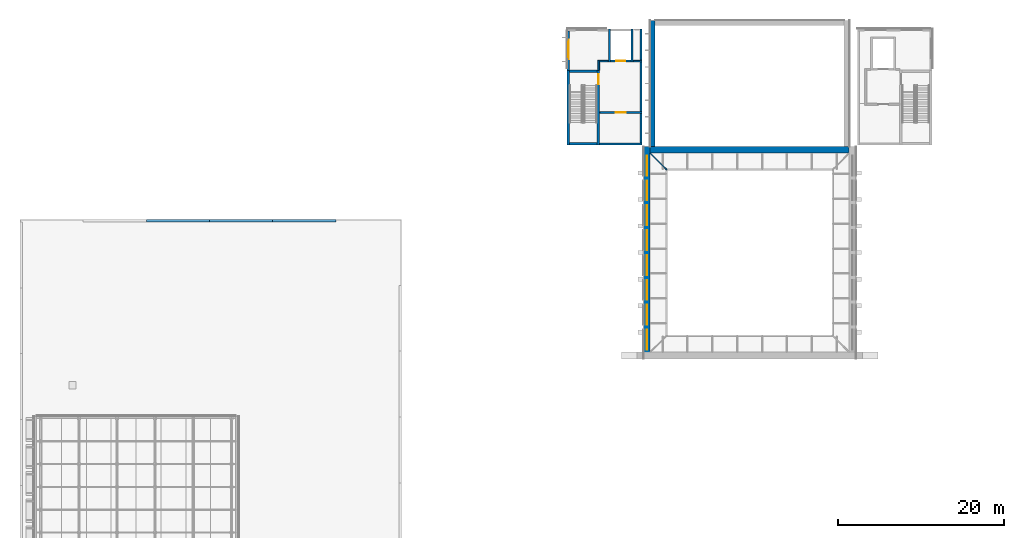
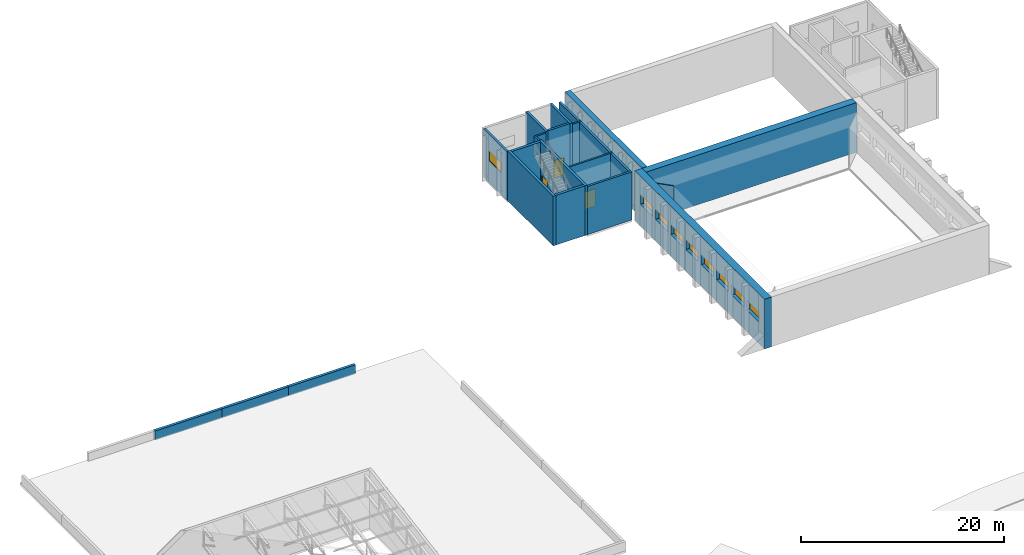
# One storey, part 12 of 22: 23 walls, 9 windows, 3 doors, 12 openings.
"""IFC4 building model written with IfcOpenShell, lengths in metres."""

import ifcopenshell
import ifcopenshell.guid

model = None  # the IFC model being written
_history = None  # IfcOwnerHistory: only IFC2X3 demands one
_inside = {}  # id of a spatial element -> (the spatial element, [elements in it])
_under = {}  # id of a project, library or spatial element -> (it, [spatial elements below it])
_declared = {}  # id of a project -> (the project, [libraries it declares])
_typed = {}  # id of a type object -> (the type object, [elements of that type])
_made_of = {}  # id of a material, layer set ... -> (it, [elements and type objects made of it])


def new_model(schema):
    """Start an empty IFC model of exactly this schema.

    Asked for "IFC4X3", IfcOpenShell would pick the latest addendum, in which some entities
    have other attributes; the version numbers below select the first issue.
    IFC2X3 requires an IfcOwnerHistory on every rooted entity: one is made here for all.
    """
    global model, _history
    if schema == "IFC4X3":
        model = ifcopenshell.file(schema_version=(4, 3, 0, 0))
    else:
        model = ifcopenshell.file(schema=schema)
    _inside.clear()
    _under.clear()
    _declared.clear()
    _typed.clear()
    _made_of.clear()
    _history = None
    if model.schema == "IFC2X3":
        org = make("IfcOrganization", Name="unknown")
        user = make(
            "IfcPersonAndOrganization",
            ThePerson=make("IfcPerson", FamilyName="unknown"),
            TheOrganization=org,
        )
        app = make(
            "IfcApplication",
            ApplicationDeveloper=org,
            Version="unknown",
            ApplicationFullName="unknown",
            ApplicationIdentifier="unknown",
        )
        _history = make(
            "IfcOwnerHistory",
            OwningUser=user,
            OwningApplication=app,
            ChangeAction="ADDED",
            CreationDate=0,
        )
    return model


def make(cls, **values):
    """One entity of the class cls with the attributes given. An attribute that is None is left unset."""
    return model.create_entity(
        cls, **{name: value for name, value in values.items() if value is not None}
    )


def rooted(cls, **values):
    """An entity with a GlobalId (a new one), such as an element, a storey or a relation."""
    return make(cls, GlobalId=ifcopenshell.guid.new(), OwnerHistory=_history, **values)


def si_unit(unit_type, name, prefix=None):
    """IfcSIUnit, for example si_unit("LENGTHUNIT", "METRE", prefix="MILLI")."""
    return make("IfcSIUnit", UnitType=unit_type, Prefix=prefix, Name=name)


def assignment(units):
    """IfcUnitAssignment: the units of a project."""
    return None if units is None else make("IfcUnitAssignment", Units=units)


def point(xyz):
    """IfcCartesianPoint."""
    return None if xyz is None else make("IfcCartesianPoint", Coordinates=xyz)


def direction(xyz):
    """IfcDirection."""
    return None if xyz is None else make("IfcDirection", DirectionRatios=xyz)


def frame(location, z_axis=None, x_axis=None):
    """IfcAxis2Placement3D, a coordinate frame: its origin and axes. An axis left out is left unset."""
    return make(
        "IfcAxis2Placement3D",
        Location=point(location),
        Axis=direction(z_axis),
        RefDirection=direction(x_axis),
    )


def frame_2d(location, x_axis=None):
    """IfcAxis2Placement2D, a coordinate frame in the plane: its origin and x axis."""
    return make(
        "IfcAxis2Placement2D", Location=point(location), RefDirection=direction(x_axis)
    )


def origin():
    """The frame at (0, 0, 0) with its axes left unset."""
    return frame((0.0, 0.0, 0.0))


def place(relative_to, where):
    """IfcLocalPlacement: puts the frame where relative to a parent placement (None: the world)."""
    return make(
        "IfcLocalPlacement", PlacementRelTo=relative_to, RelativePlacement=where
    )


def context(
    kind, dimensions, precision=None, world=None, true_north=None, identifier=None
):
    """IfcGeometricRepresentationContext, for example the 3D "Model" context."""
    return make(
        "IfcGeometricRepresentationContext",
        ContextIdentifier=identifier,
        ContextType=kind,
        CoordinateSpaceDimension=dimensions,
        Precision=precision,
        WorldCoordinateSystem=world,
        TrueNorth=true_north,
    )


def subcontext(parent, identifier, kind, view, scale=None):
    """IfcGeometricRepresentationSubContext, for example "Body" below "Model"."""
    return make(
        "IfcGeometricRepresentationSubContext",
        ContextIdentifier=identifier,
        ContextType=kind,
        ParentContext=parent,
        TargetScale=scale,
        TargetView=view,
    )


def project(units=None, contexts=None):
    """IfcProject with its units and contexts."""
    return rooted(
        "IfcProject",
        Name="project",
        RepresentationContexts=contexts,
        UnitsInContext=assignment(units),
    )


def spatial(cls, under=None, at=None, **own):
    """A site, building, storey or space (cls), placed at a placement, below another one or the project."""
    s = rooted(cls, ObjectPlacement=at, **own)
    if under is not None:
        _under.setdefault(under.id(), (under, []))[1].append(s)
    return s


def profile(cls, at=None, kind="AREA", **sizes):
    """A parametric profile (cls). Its sizes go by their IFC names, for example OverallWidth=200.0."""
    return make(cls, ProfileType=kind, Position=at, **sizes)


def rectangle(**sizes):
    """IfcRectangleProfileDef."""
    return profile("IfcRectangleProfileDef", **sizes)


def extrude(swept, where, along, depth):
    """IfcExtrudedAreaSolid: the profile swept, set in the frame where, extruded along a direction by depth."""
    return make(
        "IfcExtrudedAreaSolid",
        SweptArea=swept,
        Position=where,
        ExtrudedDirection=direction(along),
        Depth=depth,
    )


def shape(context_of_items, identifier, shape_type, items):
    """IfcShapeRepresentation: the items that make up one representation, for example the "Body"."""
    return make(
        "IfcShapeRepresentation",
        ContextOfItems=context_of_items,
        RepresentationIdentifier=identifier,
        RepresentationType=shape_type,
        Items=items,
    )


def material(Name=None, Category=None):
    """IfcMaterial."""
    return make("IfcMaterial", Name=Name, Category=Category)


def layer(
    of_material, thickness, ventilated=None, Name=None, Category=None, Priority=None
):
    """IfcMaterialLayer: one layer of a wall or slab, of a material (None: an air gap)."""
    return make(
        "IfcMaterialLayer",
        Material=of_material,
        LayerThickness=thickness,
        IsVentilated=ventilated,
        Name=Name,
        Category=Category,
        Priority=Priority,
    )


def layer_set(layers, Name=None):
    """IfcMaterialLayerSet."""
    return make("IfcMaterialLayerSet", MaterialLayers=layers, LayerSetName=Name)


def made_of(thing, what):
    """Note that an element or type object is made of a material, layer set ...; save() writes the relation."""
    if what is not None:
        _made_of.setdefault(what.id(), (what, []))[1].append(thing)
    return thing


def type_object(cls, material=None, **own):
    """A type object (cls), such as IfcWallType, which elements share."""
    return made_of(rooted(cls, **own), material)


def element(
    cls,
    number,
    at=None,
    inside=None,
    cuts=None,
    type_object=None,
    material=None,
    context=None,
    identifier="Body",
    shape_type=None,
    held_by="IfcProductDefinitionShape",
    body=None,
    shapes=None,
    **own,
):
    """One element of the class cls, such as IfcWall. Its Tag is "e" and its number.

    at: its placement. inside: the storey or other place that contains it. cuts: it is an
    opening in that element (IfcRelVoidsElement). A single representation is given by context,
    identifier, shape_type and body (its items); several are given by shapes. held_by: the class
    of the entity that holds the representations. save() writes the other relations.
    """
    e = rooted(cls, Tag="e%d" % number, ObjectPlacement=at, **own)
    if body is not None:
        shapes = [shape(context, identifier, shape_type, body)]
    if shapes is not None:
        e.Representation = make(held_by, Representations=shapes)
    if inside is not None:
        _inside.setdefault(inside.id(), (inside, []))[1].append(e)
    if cuts is not None:
        rooted(
            "IfcRelVoidsElement", RelatingBuildingElement=cuts, RelatedOpeningElement=e
        )
    if type_object is not None:
        _typed.setdefault(type_object.id(), (type_object, []))[1].append(e)
    return made_of(e, material)


def fill(opening, filler):
    """IfcRelFillsElement: the door or window that sits in an opening."""
    return rooted(
        "IfcRelFillsElement",
        RelatingOpeningElement=opening,
        RelatedBuildingElement=filler,
    )


def aggregate(whole, parts):
    """IfcRelAggregates: a whole, such as a stair, and the parts it consists of."""
    return rooted("IfcRelAggregates", RelatingObject=whole, RelatedObjects=parts)


def save(model, path):
    """Write the relations noted so far, then the file.

    IfcRelAggregates (storeys below a building ...), IfcRelContainedInSpatialStructure (elements
    in a storey), IfcRelDefinesByType, IfcRelAssociatesMaterial and IfcRelDeclares: one each for
    every whole, place, type object, material and project.
    """
    for whole, parts in _under.values():
        aggregate(whole, parts)
    for where, things in _inside.values():
        rooted(
            "IfcRelContainedInSpatialStructure",
            RelatedElements=things,
            RelatingStructure=where,
        )
    for kind, things in _typed.values():
        rooted("IfcRelDefinesByType", RelatedObjects=things, RelatingType=kind)
    for what, things in _made_of.values():
        rooted("IfcRelAssociatesMaterial", RelatedObjects=things, RelatingMaterial=what)
    for by, libraries in _declared.values():
        rooted("IfcRelDeclares", RelatingContext=by, RelatedDefinitions=libraries)
    model.write(path)


model = new_model("IFC4")

# Units and contexts
model_context = context("Model", 3, precision=1e-05, world=origin(), true_north=direction((0.0, 1.0)))
body_context = subcontext(model_context, "Body", "Model", "MODEL_VIEW")
ifc_project = project(units=[si_unit("LENGTHUNIT", "METRE"), si_unit("AREAUNIT", "SQUARE_METRE"), si_unit("VOLUMEUNIT", "CUBIC_METRE"), si_unit("PLANEANGLEUNIT", "RADIAN"), si_unit("MASSUNIT", "GRAM", prefix="KILO")], contexts=[model_context])

# Site, building, storey
site_placement = place(None, origin())
site = spatial("IfcSite", under=ifc_project, at=site_placement, CompositionType="ELEMENT")
building_placement = place(site_placement, origin())
building = spatial("IfcBuilding", under=site, at=building_placement, Name="Lunette Opera House", CompositionType="ELEMENT")
storey_placement = place(building_placement, frame((0.0, 0.0, 28.0)))
storey = spatial("IfcBuildingStorey", under=building, at=storey_placement, Name="L05", CompositionType="ELEMENT", Elevation=28.0)

# Walls
ifc_material_1 = material(Name="Concrete C35/45", Category="concrete")
ifc_layer_1 = layer(ifc_material_1, 0.199951171875)
ifc_layer_set_1 = layer_set([ifc_layer_1], Name="Concrete C35/45")
wall_type_1 = type_object("IfcWallType", Name="LOBBY WALL 200", PredefinedType="PARTITIONING", material=ifc_layer_set_1)
for number, where, z_axis, x_axis, name in (
    (1, (83.0, 131.10009765625, 0.0), (0.0, 0.0, 1.0), (-1.0, 0.0, 0.0), "LL-SW lobby wall 2a"),
    (2, (78.929931640625, 131.10009765625, 0.0), (0.0, 0.0, 1.0), (-1.0, 0.0, 0.0), "LL-SW lobby wall 2b"),
):
    element("IfcWall", number, at=place(storey_placement, frame(where, z_axis=z_axis, x_axis=x_axis)), inside=storey, type_object=wall_type_1, Name=name, PredefinedType="PARTITIONING", context=body_context, shape_type="SweptSolid", body=[
        extrude(rectangle(XDim=1.030029296875, YDim=0.199951171875, at=frame_2d((0.51513671875, 0.0))), origin(), (0.0, 0.0, 1.0), 5.800048828125),
    ])
wall_1_placement = place(storey_placement, frame((77.800048828125, 131.199951171875, 0.0), z_axis=(0.0, 0.0, 1.0), x_axis=(0.0, -1.0, 0.0)))
element("IfcWall", 3, at=wall_1_placement, inside=storey, type_object=wall_type_1, Name="LL-SW lobby wall 3a", PredefinedType="PARTITIONING", context=body_context, shape_type="SweptSolid", body=[
    extrude(rectangle(XDim=1.2099609375, YDim=0.199951171875, at=frame_2d((0.60498046875, 0.0))), origin(), (0.0, 0.0, 1.0), 5.800048828125),
])

# Wall, opening, door
wall_2_placement = place(storey_placement, frame((77.919921875, 124.89990234375, 0.0), z_axis=(0.0, 0.0, 1.0), x_axis=(1.0, 0.0, 0.0)))
wall_2 = element("IfcWall", 4, at=wall_2_placement, inside=storey, type_object=wall_type_1, Name="LL-SW lobby wall 4a", PredefinedType="PARTITIONING", context=body_context, shape_type="SweptSolid", body=[
    extrude(rectangle(XDim=5.080078125, YDim=0.199951171875, at=frame_2d((2.5400390625, 0.0))), origin(), (0.0, 0.0, 1.0), 5.800048828125),
])
opening_1_placement = place(wall_2_placement, frame((1.93994140625, 0.0, 0.0)))
opening_1 = element("IfcOpeningElement", 5, at=opening_1_placement, cuts=wall_2, Name="Opening ST-D7039", PredefinedType="OPENING", context=body_context, shape_type="SweptSolid", body=[
    extrude(rectangle(XDim=1.199951171875, YDim=2.10009765625, at=frame_2d((0.60009765625, 1.050048828125))), frame((0.0, 0.112060546875, 0.0), z_axis=(0.0, -1.0, 0.0), x_axis=(1.0, 0.0, 0.0)), (0.0, 0.0, 1.0), 0.223876953125),
])
ifc_material_2 = material(Name="Steel", Category="steel")
door_type_1 = type_object("IfcDoorType", Name="FIRE DOOR 1200 X 2100", OperationType="SINGLE_SWING_LEFT", PredefinedType="DOOR", material=ifc_material_2)
door_1_placement = place(opening_1_placement, origin())
door_1 = element("IfcDoor", 6, at=door_1_placement, inside=storey, type_object=door_type_1, Name="LL-SW lobby door", OperationType="SINGLE_SWING_LEFT", OverallHeight=2.10009765625, OverallWidth=1.199951171875, PredefinedType="DOOR", context=body_context, shape_type="SweptSolid", body=[
    extrude(rectangle(XDim=1.199951171875, YDim=2.10009765625, at=frame_2d((0.60009765625, 1.050048828125))), frame((0.0, 0.02490234375, 0.0), z_axis=(0.0, -1.0, 0.0), x_axis=(1.0, 0.0, 0.0)), (0.0, 0.0, 1.0), 0.050048828125),
])
fill(opening_1, door_1)

# Walls
ifc_material_3 = material(Name="Concrete C35/45", Category="concrete")
ifc_layer_2 = layer(ifc_material_3, 0.25)
ifc_layer_set_2 = layer_set([ifc_layer_2], Name="Concrete C35/45")
wall_type_2 = type_object("IfcWallType", Name="RC LIFT SHAFT WALL 250", PredefinedType="SOLIDWALL", material=ifc_layer_set_2)
for number, where, z_axis, x_axis, name in (
    (7, (81.824951171875, 131.0, 0.0), (0.0, 0.0, 1.0), (0.0, 1.0, 0.0), "LF7 shaft wall 1"),
    (8, (79.074951171875, 135.0, 0.0), (0.0, 0.0, 1.0), (0.0, -1.0, 0.0), "LF7 shaft wall 3"),
):
    element("IfcWall", number, at=place(storey_placement, frame(where, z_axis=z_axis, x_axis=x_axis)), inside=storey, type_object=wall_type_2, Name=name, PredefinedType="SOLIDWALL", context=body_context, shape_type="SweptSolid", body=[
        extrude(rectangle(XDim=4.0, YDim=0.25, at=frame_2d((2.0, 0.0))), origin(), (0.0, 0.0, 1.0), 6.0),
    ])

# Wall, opening, door
wall_3_placement = place(storey_placement, frame((79.199951171875, 131.125, 0.0), z_axis=(0.0, 0.0, 1.0), x_axis=(1.0, 0.0, 0.0)))
wall_3 = element("IfcWall", 9, at=wall_3_placement, inside=storey, type_object=wall_type_2, Name="LF7 shaft wall 4", PredefinedType="SOLIDWALL", context=body_context, shape_type="SweptSolid", body=[
    extrude(rectangle(XDim=2.5, YDim=0.25, at=frame_2d((1.25, 0.0))), origin(), (0.0, 0.0, 1.0), 6.0),
])
opening_2_placement = place(wall_3_placement, frame((0.699951171875, 0.0, 0.0)))
opening_2 = element("IfcOpeningElement", 10, at=opening_2_placement, cuts=wall_3, Name="Opening ST-LD017", PredefinedType="OPENING", context=body_context, shape_type="SweptSolid", body=[
    extrude(rectangle(XDim=1.10009765625, YDim=2.10009765625, at=frame_2d((0.550048828125, 1.050048828125))), frame((0.0, 0.136962890625, 0.0), z_axis=(0.0, -1.0, 0.0), x_axis=(1.0, 0.0, 0.0)), (0.0, 0.0, 1.0), 0.27392578125),
])
ifc_material_4 = material(Name="Stainless steel", Category="steel")
door_type_2 = type_object("IfcDoorType", Name="LIFT LANDING DOOR 1100 X 2100", OperationType="DOUBLE_DOOR_SLIDING", PredefinedType="DOOR", material=ifc_material_4)
door_2_placement = place(opening_2_placement, origin())
door_2 = element("IfcDoor", 11, at=door_2_placement, inside=storey, type_object=door_type_2, Name="LF7 lift landing door", OperationType="DOUBLE_DOOR_SLIDING", OverallHeight=2.10009765625, OverallWidth=1.10009765625, PredefinedType="DOOR", context=body_context, shape_type="SweptSolid", body=[
    extrude(rectangle(XDim=1.10009765625, YDim=2.10009765625, at=frame_2d((0.550048828125, 1.050048828125))), frame((0.0, 0.02490234375, 0.0), z_axis=(0.0, -1.0, 0.0), x_axis=(1.0, 0.0, 0.0)), (0.0, 0.0, 1.0), 0.050048828125),
])
fill(opening_2, door_2)

ifc_material_5 = material(Name="Concrete C35/45", Category="concrete")
ifc_layer_3 = layer(ifc_material_5, 0.300048828125)
ifc_layer_set_3 = layer_set([ifc_layer_3], Name="Concrete C35/45")
wall_type_3 = type_object("IfcWallType", Name="RC STAIR ENCLOSURE WALL 300", PredefinedType="SOLIDWALL", material=ifc_layer_set_3)
wall_4_placement = place(storey_placement, frame((77.75, 121.0, 0.0), z_axis=(0.0, 0.0, 1.0), x_axis=(0.0, 1.0, 0.0)))
wall_4 = element("IfcWall", 12, at=wall_4_placement, inside=storey, type_object=wall_type_3, Name="ST11 enclosure wall 1", PredefinedType="SOLIDWALL", context=body_context, shape_type="SweptSolid", body=[
    extrude(rectangle(XDim=9.0, YDim=0.300048828125, at=frame_2d((4.5, 0.0))), origin(), (0.0, 0.0, 1.0), 6.0),
])
opening_3_placement = place(wall_4_placement, frame((7.324951171875, 0.0, 0.0)))
opening_3 = element("IfcOpeningElement", 13, at=opening_3_placement, cuts=wall_4, Name="Opening ST-D7008", PredefinedType="OPENING", context=body_context, shape_type="SweptSolid", body=[
    extrude(rectangle(XDim=1.199951171875, YDim=2.10009765625, at=frame_2d((0.60009765625, 1.050048828125))), frame((0.0, 0.162109375, 0.0), z_axis=(0.0, -1.0, 0.0), x_axis=(1.0, 0.0, 0.0)), (0.0, 0.0, 1.0), 0.323974609375),
])
door_3_placement = place(opening_3_placement, origin())
door_3 = element("IfcDoor", 14, at=door_3_placement, inside=storey, type_object=door_type_1, Name="ST11 stair door", OperationType="SINGLE_SWING_LEFT", OverallHeight=2.10009765625, OverallWidth=1.199951171875, PredefinedType="DOOR", context=body_context, shape_type="SweptSolid", body=[
    extrude(rectangle(XDim=1.199951171875, YDim=2.10009765625, at=frame_2d((0.60009765625, 1.050048828125))), frame((0.0, 0.02490234375, 0.0), z_axis=(0.0, -1.0, 0.0), x_axis=(1.0, 0.0, 0.0)), (0.0, 0.0, 1.0), 0.050048828125),
])
fill(opening_3, door_3)

# Walls
wall_5_placement = place(storey_placement, frame((77.60009765625, 129.85009765625, 0.0), z_axis=(0.0, 0.0, 1.0), x_axis=(-1.0, 0.0, 0.0)))
element("IfcWall", 15, at=wall_5_placement, inside=storey, type_object=wall_type_3, Name="ST11 enclosure wall 2", PredefinedType="SOLIDWALL", context=body_context, shape_type="SweptSolid", body=[
    extrude(rectangle(XDim=3.300048828125, YDim=0.300048828125, at=frame_2d((1.64990234375, 0.0))), origin(), (0.0, 0.0, 1.0), 6.0),
])
wall_6_placement = place(storey_placement, frame((74.14990234375, 130.0, 0.0), z_axis=(0.0, 0.0, 1.0), x_axis=(0.0, -1.0, 0.0)))
element("IfcWall", 16, at=wall_6_placement, inside=storey, type_object=wall_type_3, Name="ST11 enclosure wall 3", PredefinedType="SOLIDWALL", context=body_context, shape_type="SweptSolid", body=[
    extrude(rectangle(XDim=9.0, YDim=0.300048828125, at=frame_2d((4.5, 0.0))), origin(), (0.0, 0.0, 1.0), 6.0),
])
wall_7_placement = place(storey_placement, frame((74.300048828125, 121.14990234375, 0.0), z_axis=(0.0, 0.0, 1.0), x_axis=(1.0, 0.0, 0.0)))
element("IfcWall", 17, at=wall_7_placement, inside=storey, type_object=wall_type_3, Name="ST11 enclosure wall 4", PredefinedType="SOLIDWALL", context=body_context, shape_type="SweptSolid", body=[
    extrude(rectangle(XDim=3.300048828125, YDim=0.300048828125, at=frame_2d((1.64990234375, 0.0))), origin(), (0.0, 0.0, 1.0), 6.0),
])
ifc_material_6 = material(Name="Concrete C35/45", Category="concrete")
ifc_layer_4 = layer(ifc_material_6, 0.60009765625)
ifc_layer_set_4 = layer_set([ifc_layer_4], Name="Concrete C35/45")
wall_type_4 = type_object("IfcWallType", Name="RC WALL 600", PredefinedType="SHEAR", material=ifc_layer_set_4)
wall_8_placement = place(storey_placement, frame((84.300048828125, 120.800048828125, 0.0), z_axis=(0.0, 0.0, 1.0), x_axis=(0.0, 1.0, 0.0)))
element("IfcWall", 18, at=wall_8_placement, inside=storey, type_object=wall_type_4, Name="wall-ST-L05-SR-W-1", PredefinedType="SHEAR", context=body_context, shape_type="SweptSolid", body=[
    extrude(rectangle(XDim=15.199951171875, YDim=0.60009765625, at=frame_2d((7.60009765625, 0.0))), origin(), (0.0, 0.0, 1.0), 6.0),
])

# Wall, openings, windows
ifc_material_7 = material(Name="Concrete C40/50", Category="concrete")
ifc_layer_5 = layer(ifc_material_7, 0.800048828125)
ifc_layer_set_5 = layer_set([ifc_layer_5], Name="Concrete C40/50")
wall_type_5 = type_object("IfcWallType", Name="RC WALL 800", PredefinedType="SHEAR", material=ifc_layer_set_5)
wall_9_placement = place(storey_placement, frame((83.60009765625, 95.199951171875, 0.0), z_axis=(0.0, 0.0, 1.0), x_axis=(0.0, 1.0, 0.0)))
wall_9 = element("IfcWall", 19, at=wall_9_placement, inside=storey, type_object=wall_type_5, Name="wall-ST-L05-WW-1", PredefinedType="SHEAR", context=body_context, shape_type="SweptSolid", body=[
    extrude(rectangle(XDim=25.60009765625, YDim=0.800048828125, at=frame_2d((12.800048828125, 0.0))), origin(), (0.0, 0.0, 1.0), 6.0),
])
opening_4_placement = place(wall_9_placement, frame((1.10009765625, 0.0, 2.60009765625)))
opening_4 = element("IfcOpeningElement", 20, at=opening_4_placement, cuts=wall_9, Name="Opening ST-N2009", PredefinedType="OPENING", context=body_context, shape_type="SweptSolid", body=[
    extrude(rectangle(XDim=2.39990234375, YDim=1.199951171875, at=frame_2d((1.199951171875, 0.60009765625))), frame((0.0, 0.412109375, 0.0), z_axis=(0.0, -1.0, 0.0), x_axis=(1.0, 0.0, 0.0)), (0.0, 0.0, 1.0), 0.823974609375),
])
opening_5_placement = place(wall_9_placement, frame((4.10009765625, 0.0, 2.60009765625)))
opening_5 = element("IfcOpeningElement", 21, at=opening_5_placement, cuts=wall_9, Name="Opening ST-N2010", PredefinedType="OPENING", context=body_context, shape_type="SweptSolid", body=[
    extrude(rectangle(XDim=2.39990234375, YDim=1.199951171875, at=frame_2d((1.199951171875, 0.60009765625))), frame((0.0, 0.412109375, 0.0), z_axis=(0.0, -1.0, 0.0), x_axis=(1.0, 0.0, 0.0)), (0.0, 0.0, 1.0), 0.823974609375),
])
opening_6_placement = place(wall_9_placement, frame((7.10009765625, 0.0, 2.60009765625)))
opening_6 = element("IfcOpeningElement", 22, at=opening_6_placement, cuts=wall_9, Name="Opening ST-N2011", PredefinedType="OPENING", context=body_context, shape_type="SweptSolid", body=[
    extrude(rectangle(XDim=2.39990234375, YDim=1.199951171875, at=frame_2d((1.199951171875, 0.60009765625))), frame((0.0, 0.412109375, 0.0), z_axis=(0.0, -1.0, 0.0), x_axis=(1.0, 0.0, 0.0)), (0.0, 0.0, 1.0), 0.823974609375),
])
opening_7_placement = place(wall_9_placement, frame((10.10009765625, 0.0, 2.60009765625)))
opening_7 = element("IfcOpeningElement", 23, at=opening_7_placement, cuts=wall_9, Name="Opening ST-N2012", PredefinedType="OPENING", context=body_context, shape_type="SweptSolid", body=[
    extrude(rectangle(XDim=2.39990234375, YDim=1.199951171875, at=frame_2d((1.199951171875, 0.60009765625))), frame((0.0, 0.412109375, 0.0), z_axis=(0.0, -1.0, 0.0), x_axis=(1.0, 0.0, 0.0)), (0.0, 0.0, 1.0), 0.823974609375),
])
opening_8_placement = place(wall_9_placement, frame((13.10009765625, 0.0, 2.60009765625)))
opening_8 = element("IfcOpeningElement", 24, at=opening_8_placement, cuts=wall_9, Name="Opening ST-N2013", PredefinedType="OPENING", context=body_context, shape_type="SweptSolid", body=[
    extrude(rectangle(XDim=2.39990234375, YDim=1.199951171875, at=frame_2d((1.199951171875, 0.60009765625))), frame((0.0, 0.412109375, 0.0), z_axis=(0.0, -1.0, 0.0), x_axis=(1.0, 0.0, 0.0)), (0.0, 0.0, 1.0), 0.823974609375),
])
opening_9_placement = place(wall_9_placement, frame((16.10009765625, 0.0, 2.60009765625)))
opening_9 = element("IfcOpeningElement", 25, at=opening_9_placement, cuts=wall_9, Name="Opening ST-N2014", PredefinedType="OPENING", context=body_context, shape_type="SweptSolid", body=[
    extrude(rectangle(XDim=2.39990234375, YDim=1.199951171875, at=frame_2d((1.199951171875, 0.60009765625))), frame((0.0, 0.412109375, 0.0), z_axis=(0.0, -1.0, 0.0), x_axis=(1.0, 0.0, 0.0)), (0.0, 0.0, 1.0), 0.823974609375),
])
opening_10_placement = place(wall_9_placement, frame((19.10009765625, 0.0, 2.60009765625)))
opening_10 = element("IfcOpeningElement", 26, at=opening_10_placement, cuts=wall_9, Name="Opening ST-N2015", PredefinedType="OPENING", context=body_context, shape_type="SweptSolid", body=[
    extrude(rectangle(XDim=2.39990234375, YDim=1.199951171875, at=frame_2d((1.199951171875, 0.60009765625))), frame((0.0, 0.412109375, 0.0), z_axis=(0.0, -1.0, 0.0), x_axis=(1.0, 0.0, 0.0)), (0.0, 0.0, 1.0), 0.823974609375),
])
opening_11_placement = place(wall_9_placement, frame((22.10009765625, 0.0, 2.60009765625)))
opening_11 = element("IfcOpeningElement", 27, at=opening_11_placement, cuts=wall_9, Name="Opening ST-N2016", PredefinedType="OPENING", context=body_context, shape_type="SweptSolid", body=[
    extrude(rectangle(XDim=2.39990234375, YDim=1.199951171875, at=frame_2d((1.199951171875, 0.60009765625))), frame((0.0, 0.412109375, 0.0), z_axis=(0.0, -1.0, 0.0), x_axis=(1.0, 0.0, 0.0)), (0.0, 0.0, 1.0), 0.823974609375),
])
ifc_material_8 = material(Name="Aluminium", Category="aluminium")
window_type = type_object("IfcWindowType", Name="TOWER RIBBON WINDOW 2400 X 1200", PartitioningType="SINGLE_PANEL", PredefinedType="WINDOW", material=ifc_material_8)
window_1_placement = place(opening_4_placement, origin())
window_1 = element("IfcWindow", 28, at=window_1_placement, inside=storey, type_object=window_type, Name="Tower Ribbon Window 2400 X 1200 TWW1 L05", OverallHeight=1.199951171875, OverallWidth=2.39990234375, PartitioningType="SINGLE_PANEL", PredefinedType="WINDOW", context=body_context, shape_type="SweptSolid", body=[
    extrude(rectangle(XDim=2.39990234375, YDim=1.199951171875, at=frame_2d((1.199951171875, 0.60009765625))), frame((0.0, 0.030029296875, 0.0), z_axis=(0.0, -1.0, 0.0), x_axis=(1.0, 0.0, 0.0)), (0.0, 0.0, 1.0), 0.06005859375),
])
fill(opening_4, window_1)
window_2_placement = place(opening_5_placement, origin())
window_2 = element("IfcWindow", 29, at=window_2_placement, inside=storey, type_object=window_type, Name="Tower Ribbon Window 2400 X 1200 TWW2 L05", OverallHeight=1.199951171875, OverallWidth=2.39990234375, PartitioningType="SINGLE_PANEL", PredefinedType="WINDOW", context=body_context, shape_type="SweptSolid", body=[
    extrude(rectangle(XDim=2.39990234375, YDim=1.199951171875, at=frame_2d((1.199951171875, 0.60009765625))), frame((0.0, 0.030029296875, 0.0), z_axis=(0.0, -1.0, 0.0), x_axis=(1.0, 0.0, 0.0)), (0.0, 0.0, 1.0), 0.06005859375),
])
fill(opening_5, window_2)
window_3_placement = place(opening_6_placement, origin())
window_3 = element("IfcWindow", 30, at=window_3_placement, inside=storey, type_object=window_type, Name="Tower Ribbon Window 2400 X 1200 TWW3 L05", OverallHeight=1.199951171875, OverallWidth=2.39990234375, PartitioningType="SINGLE_PANEL", PredefinedType="WINDOW", context=body_context, shape_type="SweptSolid", body=[
    extrude(rectangle(XDim=2.39990234375, YDim=1.199951171875, at=frame_2d((1.199951171875, 0.60009765625))), frame((0.0, 0.030029296875, 0.0), z_axis=(0.0, -1.0, 0.0), x_axis=(1.0, 0.0, 0.0)), (0.0, 0.0, 1.0), 0.06005859375),
])
fill(opening_6, window_3)
window_4_placement = place(opening_7_placement, origin())
window_4 = element("IfcWindow", 31, at=window_4_placement, inside=storey, type_object=window_type, Name="Tower Ribbon Window 2400 X 1200 TWW4 L05", OverallHeight=1.199951171875, OverallWidth=2.39990234375, PartitioningType="SINGLE_PANEL", PredefinedType="WINDOW", context=body_context, shape_type="SweptSolid", body=[
    extrude(rectangle(XDim=2.39990234375, YDim=1.199951171875, at=frame_2d((1.199951171875, 0.60009765625))), frame((0.0, 0.030029296875, 0.0), z_axis=(0.0, -1.0, 0.0), x_axis=(1.0, 0.0, 0.0)), (0.0, 0.0, 1.0), 0.06005859375),
])
fill(opening_7, window_4)
window_5_placement = place(opening_8_placement, origin())
window_5 = element("IfcWindow", 32, at=window_5_placement, inside=storey, type_object=window_type, Name="Tower Ribbon Window 2400 X 1200 TWW5 L05", OverallHeight=1.199951171875, OverallWidth=2.39990234375, PartitioningType="SINGLE_PANEL", PredefinedType="WINDOW", context=body_context, shape_type="SweptSolid", body=[
    extrude(rectangle(XDim=2.39990234375, YDim=1.199951171875, at=frame_2d((1.199951171875, 0.60009765625))), frame((0.0, 0.030029296875, 0.0), z_axis=(0.0, -1.0, 0.0), x_axis=(1.0, 0.0, 0.0)), (0.0, 0.0, 1.0), 0.06005859375),
])
fill(opening_8, window_5)
window_6_placement = place(opening_9_placement, origin())
window_6 = element("IfcWindow", 33, at=window_6_placement, inside=storey, type_object=window_type, Name="Tower Ribbon Window 2400 X 1200 TWW6 L05", OverallHeight=1.199951171875, OverallWidth=2.39990234375, PartitioningType="SINGLE_PANEL", PredefinedType="WINDOW", context=body_context, shape_type="SweptSolid", body=[
    extrude(rectangle(XDim=2.39990234375, YDim=1.199951171875, at=frame_2d((1.199951171875, 0.60009765625))), frame((0.0, 0.030029296875, 0.0), z_axis=(0.0, -1.0, 0.0), x_axis=(1.0, 0.0, 0.0)), (0.0, 0.0, 1.0), 0.06005859375),
])
fill(opening_9, window_6)
window_7_placement = place(opening_10_placement, origin())
window_7 = element("IfcWindow", 34, at=window_7_placement, inside=storey, type_object=window_type, Name="Tower Ribbon Window 2400 X 1200 TWW7 L05", OverallHeight=1.199951171875, OverallWidth=2.39990234375, PartitioningType="SINGLE_PANEL", PredefinedType="WINDOW", context=body_context, shape_type="SweptSolid", body=[
    extrude(rectangle(XDim=2.39990234375, YDim=1.199951171875, at=frame_2d((1.199951171875, 0.60009765625))), frame((0.0, 0.030029296875, 0.0), z_axis=(0.0, -1.0, 0.0), x_axis=(1.0, 0.0, 0.0)), (0.0, 0.0, 1.0), 0.06005859375),
])
fill(opening_10, window_7)
window_8_placement = place(opening_11_placement, origin())
window_8 = element("IfcWindow", 35, at=window_8_placement, inside=storey, type_object=window_type, Name="Tower Ribbon Window 2400 X 1200 TWW8 L05", OverallHeight=1.199951171875, OverallWidth=2.39990234375, PartitioningType="SINGLE_PANEL", PredefinedType="WINDOW", context=body_context, shape_type="SweptSolid", body=[
    extrude(rectangle(XDim=2.39990234375, YDim=1.199951171875, at=frame_2d((1.199951171875, 0.60009765625))), frame((0.0, 0.030029296875, 0.0), z_axis=(0.0, -1.0, 0.0), x_axis=(1.0, 0.0, 0.0)), (0.0, 0.0, 1.0), 0.06005859375),
])
fill(opening_11, window_8)

# Walls
wall_10_placement = place(storey_placement, frame((84.0, 120.39990234375, 0.0), z_axis=(0.0, 0.0, 1.0), x_axis=(1.0, 0.0, 0.0)))
element("IfcWall", 36, at=wall_10_placement, inside=storey, type_object=wall_type_5, Name="wall-ST-L05-WN-1", PredefinedType="SHEAR", context=body_context, shape_type="SweptSolid", body=[
    extrude(rectangle(XDim=24.0, YDim=0.800048828125, at=frame_2d((12.0, 0.0))), origin(), (0.0, 0.0, 1.0), 6.0),
])
ifc_material_9 = material(Name="Clinker brick", Category="masonry")
ifc_layer_6 = layer(ifc_material_9, 0.300048828125)
ifc_layer_set_6 = layer_set([ifc_layer_6], Name="Clinker brick")
wall_type_6 = type_object("IfcWallType", Name="ROOF PARAPET WALL 300", PredefinedType="PARAPET", material=ifc_layer_set_6)
wall_11_placement = place(storey_placement, frame((46.0830078125, 111.85009765625, 0.0), z_axis=(0.0, 0.0, 1.0), x_axis=(-1.0, 0.0, 0.0)))
element("IfcWall", 37, at=wall_11_placement, inside=storey, type_object=wall_type_6, Name="Roof Parapet Wall 300 PA-L04-18 L05", PredefinedType="PARAPET", context=body_context, shape_type="SweptSolid", body=[
    extrude(rectangle(XDim=7.615966796875, YDim=0.300048828125, at=frame_2d((3.80810546875, 0.0))), origin(), (0.0, 0.0, 1.0), 1.10009765625),
])
wall_12_placement = place(storey_placement, frame((38.467041015625, 111.85009765625, 0.0), z_axis=(0.0, 0.0, 1.0), x_axis=(-1.0, 0.0, 0.0)))
element("IfcWall", 38, at=wall_12_placement, inside=storey, type_object=wall_type_6, Name="Roof Parapet Wall 300 PA-L04-19 L05", PredefinedType="PARAPET", context=body_context, shape_type="SweptSolid", body=[
    extrude(rectangle(XDim=7.616943359375, YDim=0.300048828125, at=frame_2d((3.80859375, 0.0))), origin(), (0.0, 0.0, 1.0), 1.10009765625),
])
wall_13_placement = place(storey_placement, frame((30.85009765625, 111.85009765625, 0.0), z_axis=(0.0, 0.0, 1.0), x_axis=(-1.0, 0.0, 0.0)))
element("IfcWall", 39, at=wall_13_placement, inside=storey, type_object=wall_type_6, Name="Roof Parapet Wall 300 PA-L04-20 L05", PredefinedType="PARAPET", context=body_context, shape_type="SweptSolid", body=[
    extrude(rectangle(XDim=7.6171875, YDim=0.300048828125, at=frame_2d((3.80859375, 0.0))), origin(), (0.0, 0.0, 1.0), 1.10009765625),
])

# Wall, opening, window
ifc_material_10 = material(Name="Insulated aluminium sandwich panel", Category="aluminium")
ifc_layer_7 = layer(ifc_material_10, 0.25)
ifc_layer_set_7 = layer_set([ifc_layer_7], Name="Insulated aluminium sandwich panel")
wall_type_7 = type_object("IfcWallType", Name="STAGE TOWER WALL 250", PredefinedType="SOLIDWALL", material=ifc_layer_set_7)
wall_14_placement = place(storey_placement, frame((74.125, 134.75, 0.0), z_axis=(0.0, 0.0, 1.0), x_axis=(0.0, -1.0, 0.0)))
wall_14 = element("IfcWall", 40, at=wall_14_placement, inside=storey, type_object=wall_type_7, Name="Stage Tower Wall 250 TW-042 L05", PredefinedType="SOLIDWALL", context=body_context, shape_type="SweptSolid", body=[
    extrude(rectangle(XDim=4.7548828125, YDim=0.25, at=frame_2d((2.37744140625, 0.0))), origin(), (0.0, 0.0, 1.0), 5.800048828125),
])
opening_12_placement = place(wall_14_placement, frame((1.050048828125, 0.0, 2.60009765625)))
opening_12 = element("IfcOpeningElement", 41, at=opening_12_placement, cuts=wall_14, Name="Opening ST-N2148", PredefinedType="OPENING", context=body_context, shape_type="SweptSolid", body=[
    extrude(rectangle(XDim=2.39990234375, YDim=1.199951171875, at=frame_2d((1.199951171875, 0.60009765625))), frame((0.0, 0.136962890625, 0.0), z_axis=(0.0, -1.0, 0.0), x_axis=(1.0, 0.0, 0.0)), (0.0, 0.0, 1.0), 0.27392578125),
])
window_9_placement = place(opening_12_placement, origin())
window_9 = element("IfcWindow", 42, at=window_9_placement, inside=storey, type_object=window_type, Name="Tower Ribbon Window 2400 X 1200 TTW42-1 L05", OverallHeight=1.199951171875, OverallWidth=2.39990234375, PartitioningType="SINGLE_PANEL", PredefinedType="WINDOW", context=body_context, shape_type="SweptSolid", body=[
    extrude(rectangle(XDim=2.39990234375, YDim=1.199951171875, at=frame_2d((1.199951171875, 0.60009765625))), frame((0.0, 0.030029296875, 0.0), z_axis=(0.0, -1.0, 0.0), x_axis=(1.0, 0.0, 0.0)), (0.0, 0.0, 1.0), 0.06005859375),
])
fill(opening_12, window_9)

# Walls
wall_15_placement = place(storey_placement, frame((77.89794921875, 121.125, 0.0), z_axis=(0.0, 0.0, 1.0), x_axis=(1.0, 0.0, 0.0)))
element("IfcWall", 43, at=wall_15_placement, inside=storey, type_object=wall_type_7, Name="Stage Tower Wall 250 TW-043 L05", PredefinedType="SOLIDWALL", context=body_context, shape_type="SweptSolid", body=[
    extrude(rectangle(XDim=5.10205078125, YDim=0.25, at=frame_2d((2.551025390625, 0.0))), origin(), (0.0, 0.0, 1.0), 5.800048828125),
])
wall_16_placement = place(storey_placement, frame((82.875, 121.25, 0.0), z_axis=(0.0, 0.0, 1.0), x_axis=(0.0, 1.0, 0.0)))
element("IfcWall", 44, at=wall_16_placement, inside=storey, type_object=wall_type_7, Name="Stage Tower Wall 250 TW-044 L05", PredefinedType="SOLIDWALL", context=body_context, shape_type="SweptSolid", body=[
    extrude(rectangle(XDim=3.554931640625, YDim=0.25, at=frame_2d((1.77734375, 0.0))), origin(), (0.0, 0.0, 1.0), 5.800048828125),
])
wall_17_placement = place(storey_placement, frame((82.875, 124.9951171875, 0.0), z_axis=(0.0, 0.0, 1.0), x_axis=(0.0, 1.0, 0.0)))
element("IfcWall", 45, at=wall_17_placement, inside=storey, type_object=wall_type_7, Name="Stage Tower Wall 250 TW-045 L05", PredefinedType="SOLIDWALL", context=body_context, shape_type="SweptSolid", body=[
    extrude(rectangle(XDim=6.009765625, YDim=0.25, at=frame_2d((3.0048828125, 0.0))), origin(), (0.0, 0.0, 1.0), 5.800048828125),
])
wall_18_placement = place(storey_placement, frame((82.875, 131.195068359375, 0.0), z_axis=(0.0, 0.0, 1.0), x_axis=(0.0, 1.0, 0.0)))
element("IfcWall", 46, at=wall_18_placement, inside=storey, type_object=wall_type_7, Name="Stage Tower Wall 250 TW-046 L05", PredefinedType="SOLIDWALL", context=body_context, shape_type="SweptSolid", body=[
    extrude(rectangle(XDim=3.804931640625, YDim=0.25, at=frame_2d((1.90234375, 0.0))), origin(), (0.0, 0.0, 1.0), 5.800048828125),
])
ifc_material_11 = material(Name="Gypsum board on steel studs", Category="steel")
ifc_layer_8 = layer(ifc_material_11, 0.10009765625)
ifc_layer_set_8 = layer_set([ifc_layer_8], Name="Gypsum board on steel studs")
wall_type_8 = type_object("IfcWallType", Name="STUD PARTITION 100", PredefinedType="PARTITIONING", material=ifc_layer_set_8)
wall_19_placement = place(storey_placement, frame((84.0009765625, 119.9990234375, 0.0), z_axis=(0.0, 0.0, 1.0), x_axis=(0.707106781187, -0.707106781187, 0.0)))
element("IfcWall", 47, at=wall_19_placement, inside=storey, type_object=wall_type_8, Name="Partition Fly Gallery 28 North", PredefinedType="PARTITIONING", context=body_context, shape_type="SweptSolid", body=[
    extrude(rectangle(XDim=2.8271484375, YDim=0.10009765625, at=frame_2d((1.41357421875, 0.0))), origin(), (0.0, 0.0, 1.0), 4.89990234375),
])

save(model, "model.ifc")
